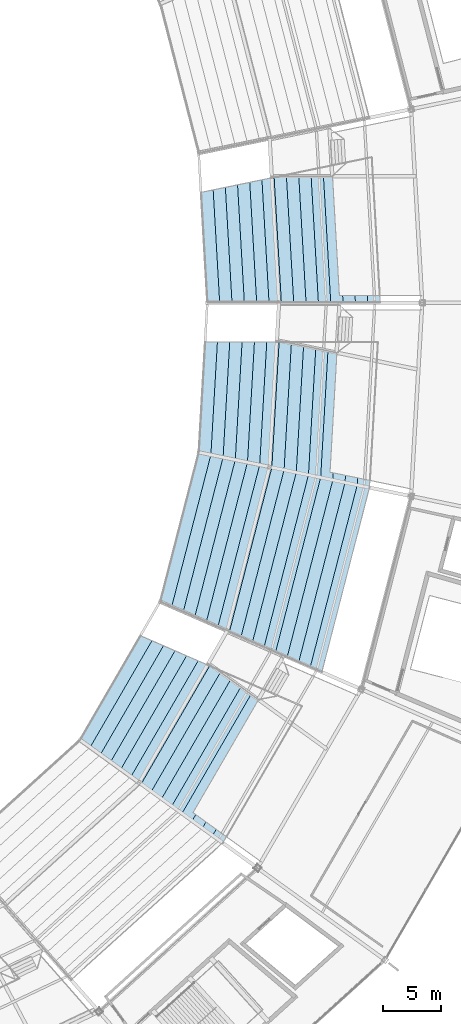
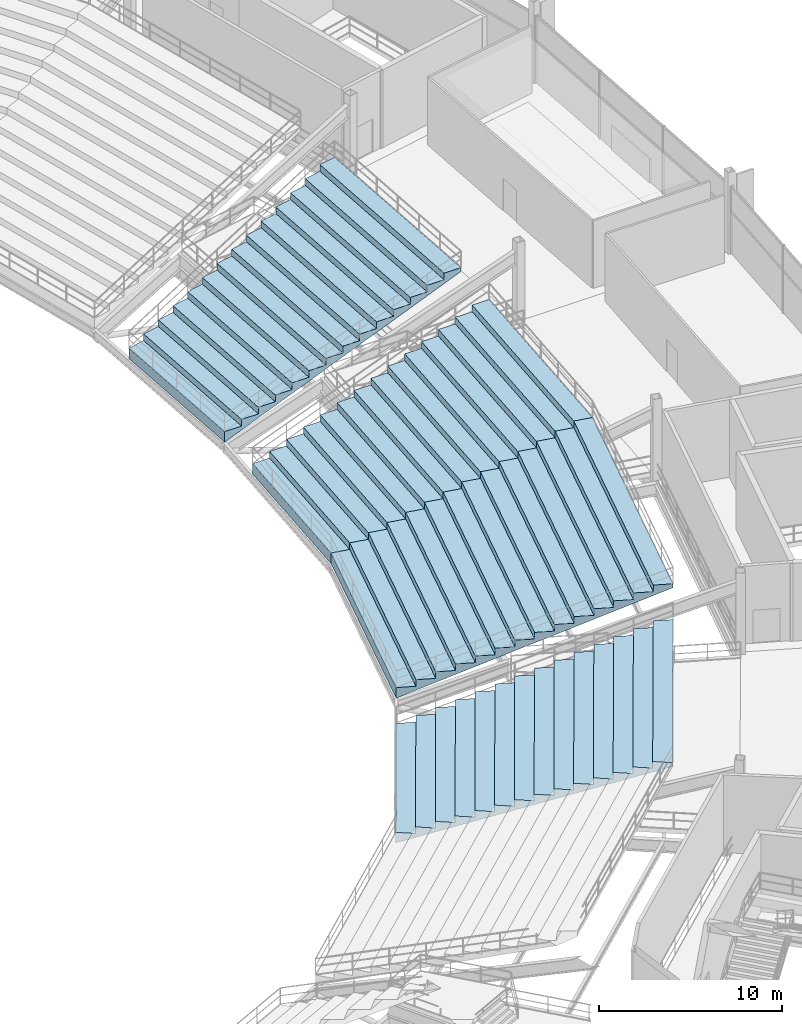
# One storey, part 136 of 186: 4 slabs.
"""IFC4 building model written with IfcOpenShell, lengths in metres."""

from ifc_helpers import new_model, si_unit, direction, frame, origin, place, context, subcontext, project, spatial, polygons, material, layer, layer_set, type_object, element, save


model = new_model("IFC4")

# Units and contexts
model_context = context("Model", 3, precision=1e-05, world=origin(), true_north=direction((0.0, 1.0)))
body_context = subcontext(model_context, "Body", "Model", "MODEL_VIEW")
ifc_project = project(units=[si_unit("LENGTHUNIT", "METRE"), si_unit("AREAUNIT", "SQUARE_METRE"), si_unit("VOLUMEUNIT", "CUBIC_METRE"), si_unit("PLANEANGLEUNIT", "RADIAN"), si_unit("MASSUNIT", "GRAM", prefix="KILO")], contexts=[model_context])

# Site, building, storey
site_placement = place(None, origin())
site = spatial("IfcSite", under=ifc_project, at=site_placement, CompositionType="ELEMENT")
building_placement = place(site_placement, origin())
building = spatial("IfcBuilding", under=site, at=building_placement, Name="Kazemori Nagisa Stadium", CompositionType="ELEMENT")
storey_placement = place(building_placement, frame((0.0, 0.0, 20.39990234375)))
storey = spatial("IfcBuildingStorey", under=building, at=storey_placement, Name="L04", CompositionType="ELEMENT", Elevation=20.39990234375)

# Slabs
ifc_material = material(Name="Concrete C36/45 (Fc36)", Category="concrete")
ifc_layer = layer(ifc_material, 6.419921875, Name="Concrete C36/45 (Fc36)", Category="concrete")
ifc_layer_set = layer_set([ifc_layer], Name="Concrete C36/45 (Fc36)")
slab_type = type_object("IfcSlabType", Name="SeatingTier_ST-UP-14E", PredefinedType="USERDEFINED", material=ifc_layer_set)
slab_1_placement = place(storey_placement, frame((0.0, 0.0, -20.39990234375)))
element("IfcSlab", 1, at=slab_1_placement, inside=storey, type_object=slab_type, Name="Stand upper tier bay 01", ObjectType="SEATING TIER", PredefinedType="USERDEFINED", context=body_context, shape_type="Tessellation", body=[
    polygons([(185.62646484375, 111.505126953125, 18.820068359375), (185.62646484375, 111.505126953125, 19.52001953125), (186.677978515625, 111.722412109375, 19.52001953125), (186.677978515625, 111.722412109375, 19.9599609375), (187.7294921875, 111.939697265625, 19.9599609375), (187.7294921875, 111.939697265625, 20.39990234375), (188.781005859375, 112.156982421875, 20.39990234375), (188.781005859375, 112.156982421875, 20.83984375), (189.832275390625, 112.3740234375, 20.83984375), (189.832275390625, 112.3740234375, 21.27978515625), (190.8837890625, 112.59130859375, 21.27978515625), (190.8837890625, 112.59130859375, 21.7197265625), (191.935302734375, 112.80859375, 21.7197265625), (191.935302734375, 112.80859375, 22.15966796875), (192.98681640625, 113.02587890625, 22.15966796875), (192.98681640625, 113.02587890625, 22.599609375), (194.038330078125, 113.2431640625, 22.599609375), (194.038330078125, 113.2431640625, 23.03955078125), (195.08984375, 113.46044921875, 23.03955078125), (195.08984375, 113.46044921875, 23.4794921875), (196.141357421875, 113.677734375, 23.4794921875), (196.141357421875, 113.677734375, 23.91943359375), (197.192626953125, 113.894775390625, 23.91943359375), (197.192626953125, 113.894775390625, 24.359375), (198.244140625, 114.112060546875, 24.359375), (198.244140625, 114.112060546875, 24.79931640625), (199.295654296875, 114.329345703125, 24.79931640625), (199.295654296875, 114.329345703125, 25.2392578125), (200.34716796875, 114.546630859375, 25.2392578125), (200.34716796875, 114.546630859375, 24.979248046875), (199.295654296875, 114.329345703125, 24.539306640625), (198.244140625, 114.112060546875, 24.099365234375), (197.192626953125, 113.894775390625, 23.659423828125), (196.141357421875, 113.677734375, 23.219482421875), (195.08984375, 113.46044921875, 22.779541015625), (194.038330078125, 113.2431640625, 22.339599609375), (192.98681640625, 113.02587890625, 21.899658203125), (191.935302734375, 112.80859375, 21.459716796875), (190.8837890625, 112.59130859375, 21.019775390625), (189.832275390625, 112.3740234375, 20.579833984375), (188.781005859375, 112.156982421875, 20.139892578125), (187.7294921875, 111.939697265625, 19.699951171875), (186.677978515625, 111.722412109375, 19.260009765625), (186.175048828125, 102.0, 18.820068359375), (186.175048828125, 102.0, 19.52001953125), (187.239013671875, 102.0, 19.52001953125), (187.239013671875, 102.0, 19.9599609375), (188.302978515625, 102.0, 19.9599609375), (188.302978515625, 102.0, 20.39990234375), (189.366943359375, 102.0, 20.39990234375), (189.366943359375, 102.0, 20.83984375), (190.43115234375, 102.0, 20.83984375), (190.43115234375, 102.0, 21.27978515625), (191.4951171875, 102.0, 21.27978515625), (191.4951171875, 102.0, 21.7197265625), (192.55908203125, 102.0, 21.7197265625), (192.55908203125, 102.0, 22.15966796875), (193.623046875, 102.0, 22.15966796875), (193.623046875, 102.0, 22.599609375), (194.68701171875, 102.0, 22.599609375), (194.68701171875, 102.0, 23.03955078125), (195.7509765625, 102.0, 23.03955078125), (195.7509765625, 102.0, 23.4794921875), (196.81494140625, 102.0, 23.4794921875), (196.81494140625, 102.0, 23.91943359375), (197.879150390625, 102.0, 23.91943359375), (197.879150390625, 102.0, 24.359375), (198.943115234375, 102.0, 24.359375), (198.943115234375, 102.0, 24.79931640625), (200.007080078125, 102.0, 24.79931640625), (200.007080078125, 102.0, 25.2392578125), (201.071044921875, 102.0, 25.2392578125), (201.071044921875, 102.0, 24.979248046875), (200.007080078125, 102.0, 24.539306640625), (198.943115234375, 102.0, 24.099365234375), (197.879150390625, 102.0, 23.659423828125), (196.81494140625, 102.0, 23.219482421875), (195.7509765625, 102.0, 22.779541015625), (194.68701171875, 102.0, 22.339599609375), (193.623046875, 102.0, 21.899658203125), (192.55908203125, 102.0, 21.459716796875), (191.4951171875, 102.0, 21.019775390625), (190.43115234375, 102.0, 20.579833984375), (189.366943359375, 102.0, 20.139892578125), (188.302978515625, 102.0, 19.699951171875), (187.239013671875, 102.0, 19.260009765625)], [[[1, 44, 45]], [[1, 45, 2]], [[2, 45, 46]], [[2, 46, 3]], [[3, 46, 47]], [[3, 47, 4]], [[4, 47, 48]], [[4, 48, 5]], [[5, 48, 49]], [[5, 49, 6]], [[6, 49, 50]], [[6, 50, 7]], [[7, 50, 51]], [[7, 51, 8]], [[8, 51, 52]], [[8, 52, 9]], [[9, 52, 53]], [[9, 53, 10]], [[10, 53, 54]], [[10, 54, 11]], [[11, 54, 55]], [[11, 55, 12]], [[12, 55, 56]], [[12, 56, 13]], [[13, 56, 57]], [[13, 57, 14]], [[14, 57, 58]], [[14, 58, 15]], [[15, 58, 59]], [[15, 59, 16]], [[16, 59, 60]], [[16, 60, 17]], [[17, 60, 61]], [[17, 61, 18]], [[18, 61, 62]], [[18, 62, 19]], [[19, 62, 63]], [[19, 63, 20]], [[20, 63, 64]], [[20, 64, 21]], [[21, 64, 65]], [[21, 65, 22]], [[22, 65, 66]], [[22, 66, 23]], [[23, 66, 67]], [[23, 67, 24]], [[24, 67, 68]], [[24, 68, 25]], [[25, 68, 69]], [[25, 69, 26]], [[26, 69, 70]], [[26, 70, 27]], [[27, 70, 71]], [[27, 71, 28]], [[28, 71, 72]], [[28, 72, 29]], [[29, 72, 73]], [[29, 73, 30]], [[30, 73, 31]], [[31, 73, 74]], [[31, 74, 32]], [[32, 74, 75]], [[32, 75, 33]], [[33, 75, 76]], [[33, 76, 34]], [[34, 76, 77]], [[34, 77, 35]], [[35, 77, 78]], [[35, 78, 36]], [[36, 78, 79]], [[36, 79, 37]], [[37, 79, 80]], [[37, 80, 38]], [[38, 80, 81]], [[38, 81, 39]], [[39, 81, 82]], [[39, 82, 40]], [[40, 82, 83]], [[40, 83, 41]], [[41, 83, 84]], [[41, 84, 42]], [[42, 84, 85]], [[42, 85, 43]], [[43, 85, 86]], [[43, 86, 1]], [[1, 86, 44]], [[1, 2, 3]], [[46, 45, 44]], [[1, 3, 43]], [[86, 46, 44]], [[43, 3, 42]], [[85, 46, 86]], [[42, 3, 5]], [[48, 46, 85]], [[3, 4, 5]], [[48, 47, 46]], [[42, 5, 41]], [[84, 48, 85]], [[41, 5, 7]], [[50, 48, 84]], [[5, 6, 7]], [[50, 49, 48]], [[41, 7, 40]], [[83, 50, 84]], [[40, 7, 9]], [[52, 50, 83]], [[7, 8, 9]], [[52, 51, 50]], [[40, 9, 39]], [[82, 52, 83]], [[39, 9, 11]], [[54, 52, 82]], [[9, 10, 11]], [[54, 53, 52]], [[39, 11, 38]], [[81, 54, 82]], [[38, 11, 13]], [[56, 54, 81]], [[11, 12, 13]], [[56, 55, 54]], [[38, 13, 37]], [[80, 56, 81]], [[37, 13, 15]], [[58, 56, 80]], [[13, 14, 15]], [[58, 57, 56]], [[37, 15, 36]], [[79, 58, 80]], [[36, 15, 17]], [[60, 58, 79]], [[15, 16, 17]], [[60, 59, 58]], [[36, 17, 35]], [[78, 60, 79]], [[35, 17, 19]], [[62, 60, 78]], [[17, 18, 19]], [[62, 61, 60]], [[35, 19, 34]], [[77, 62, 78]], [[34, 19, 21]], [[64, 62, 77]], [[19, 20, 21]], [[64, 63, 62]], [[34, 21, 33]], [[76, 64, 77]], [[33, 21, 23]], [[66, 64, 76]], [[21, 22, 23]], [[66, 65, 64]], [[33, 23, 32]], [[75, 66, 76]], [[32, 23, 25]], [[68, 66, 75]], [[23, 24, 25]], [[68, 67, 66]], [[32, 25, 31]], [[74, 68, 75]], [[31, 25, 27]], [[70, 68, 74]], [[25, 26, 27]], [[70, 69, 68]], [[31, 27, 30]], [[73, 70, 74]], [[30, 27, 29]], [[72, 70, 73]], [[27, 28, 29]], [[72, 71, 70]]], closed=True),
])
slab_2_placement = place(storey_placement, frame((0.0, 0.0, -20.39990234375)))
element("IfcSlab", 2, at=slab_2_placement, inside=storey, type_object=slab_type, Name="Stand upper tier bay 26", ObjectType="SEATING TIER", PredefinedType="USERDEFINED", context=body_context, shape_type="Tessellation", body=[
    polygons([(180.403076171875, 73.290283203125, 18.820068359375), (180.403076171875, 73.290283203125, 19.52001953125), (181.398681640625, 72.856201171875, 19.52001953125), (181.398681640625, 72.856201171875, 19.9599609375), (182.39404296875, 72.42236328125, 19.9599609375), (182.39404296875, 72.42236328125, 20.39990234375), (183.3896484375, 71.98828125, 20.39990234375), (183.3896484375, 71.98828125, 20.83984375), (184.385009765625, 71.55419921875, 20.83984375), (184.385009765625, 71.55419921875, 21.27978515625), (185.380615234375, 71.120361328125, 21.27978515625), (185.380615234375, 71.120361328125, 21.7197265625), (186.3759765625, 70.686279296875, 21.7197265625), (186.3759765625, 70.686279296875, 22.15966796875), (187.37158203125, 70.25244140625, 22.15966796875), (187.37158203125, 70.25244140625, 22.599609375), (188.3671875, 69.818359375, 22.599609375), (188.3671875, 69.818359375, 23.03955078125), (189.362548828125, 69.38427734375, 23.03955078125), (189.362548828125, 69.38427734375, 23.4794921875), (190.358154296875, 68.950439453125, 23.4794921875), (190.358154296875, 68.950439453125, 23.91943359375), (191.353515625, 68.516357421875, 23.91943359375), (191.353515625, 68.516357421875, 24.359375), (192.34912109375, 68.082275390625, 24.359375), (192.34912109375, 68.082275390625, 24.79931640625), (193.344482421875, 67.6484375, 24.79931640625), (193.344482421875, 67.6484375, 25.2392578125), (194.340087890625, 67.21435546875, 25.2392578125), (194.340087890625, 67.21435546875, 24.979248046875), (193.344482421875, 67.6484375, 24.539306640625), (192.34912109375, 68.082275390625, 24.099365234375), (191.353515625, 68.516357421875, 23.659423828125), (190.358154296875, 68.950439453125, 23.219482421875), (189.362548828125, 69.38427734375, 22.779541015625), (188.3671875, 69.818359375, 22.339599609375), (187.37158203125, 70.25244140625, 21.899658203125), (186.3759765625, 70.686279296875, 21.459716796875), (185.380615234375, 71.120361328125, 21.019775390625), (184.385009765625, 71.55419921875, 20.579833984375), (183.3896484375, 71.98828125, 20.139892578125), (182.39404296875, 72.42236328125, 19.699951171875), (181.398681640625, 72.856201171875, 19.260009765625), (175.199462890625, 64.31591796875, 18.820068359375), (175.199462890625, 64.31591796875, 19.52001953125), (176.07861328125, 63.68115234375, 19.52001953125), (176.07861328125, 63.68115234375, 19.9599609375), (176.957763671875, 63.046630859375, 19.9599609375), (176.957763671875, 63.046630859375, 20.39990234375), (177.8369140625, 62.411865234375, 20.39990234375), (177.8369140625, 62.411865234375, 20.83984375), (178.716064453125, 61.777099609375, 20.83984375), (178.716064453125, 61.777099609375, 21.27978515625), (179.59521484375, 61.142578125, 21.27978515625), (179.59521484375, 61.142578125, 21.7197265625), (180.474365234375, 60.5078125, 21.7197265625), (180.474365234375, 60.5078125, 22.15966796875), (181.353515625, 59.873046875, 22.15966796875), (181.353515625, 59.873046875, 22.599609375), (182.232666015625, 59.238525390625, 22.599609375), (182.232666015625, 59.238525390625, 23.03955078125), (183.11181640625, 58.603759765625, 23.03955078125), (183.11181640625, 58.603759765625, 23.4794921875), (183.990966796875, 57.96923828125, 23.4794921875), (183.990966796875, 57.96923828125, 23.91943359375), (184.8701171875, 57.33447265625, 23.91943359375), (184.8701171875, 57.33447265625, 24.359375), (185.749267578125, 56.69970703125, 24.359375), (185.749267578125, 56.69970703125, 24.79931640625), (186.62841796875, 56.065185546875, 24.79931640625), (186.62841796875, 56.065185546875, 25.2392578125), (187.507568359375, 55.430419921875, 25.2392578125), (187.507568359375, 55.430419921875, 24.979248046875), (186.62841796875, 56.065185546875, 24.539306640625), (185.749267578125, 56.69970703125, 24.099365234375), (184.8701171875, 57.33447265625, 23.659423828125), (183.990966796875, 57.96923828125, 23.219482421875), (183.11181640625, 58.603759765625, 22.779541015625), (182.232666015625, 59.238525390625, 22.339599609375), (181.353515625, 59.873046875, 21.899658203125), (180.474365234375, 60.5078125, 21.459716796875), (179.59521484375, 61.142578125, 21.019775390625), (178.716064453125, 61.777099609375, 20.579833984375), (177.8369140625, 62.411865234375, 20.139892578125), (176.957763671875, 63.046630859375, 19.699951171875), (176.07861328125, 63.68115234375, 19.260009765625)], [[[1, 44, 45]], [[1, 45, 2]], [[2, 45, 46]], [[2, 46, 3]], [[3, 46, 47]], [[3, 47, 4]], [[4, 47, 48]], [[4, 48, 5]], [[5, 48, 49]], [[5, 49, 6]], [[6, 49, 50]], [[6, 50, 7]], [[7, 50, 51]], [[7, 51, 8]], [[8, 51, 52]], [[8, 52, 9]], [[9, 52, 53]], [[9, 53, 10]], [[10, 53, 54]], [[10, 54, 11]], [[11, 54, 55]], [[11, 55, 12]], [[12, 55, 56]], [[12, 56, 13]], [[13, 56, 57]], [[13, 57, 14]], [[14, 57, 58]], [[14, 58, 15]], [[15, 58, 59]], [[15, 59, 16]], [[16, 59, 60]], [[16, 60, 17]], [[17, 60, 61]], [[17, 61, 18]], [[18, 61, 62]], [[18, 62, 19]], [[19, 62, 63]], [[19, 63, 20]], [[20, 63, 64]], [[20, 64, 21]], [[21, 64, 65]], [[21, 65, 22]], [[22, 65, 66]], [[22, 66, 23]], [[23, 66, 67]], [[23, 67, 24]], [[24, 67, 68]], [[24, 68, 25]], [[25, 68, 69]], [[25, 69, 26]], [[26, 69, 70]], [[26, 70, 27]], [[27, 70, 71]], [[27, 71, 28]], [[28, 71, 72]], [[28, 72, 29]], [[29, 72, 73]], [[29, 73, 30]], [[30, 73, 31]], [[31, 73, 74]], [[31, 74, 32]], [[32, 74, 75]], [[32, 75, 33]], [[33, 75, 76]], [[33, 76, 34]], [[34, 76, 77]], [[34, 77, 35]], [[35, 77, 78]], [[35, 78, 36]], [[36, 78, 79]], [[36, 79, 37]], [[37, 79, 80]], [[37, 80, 38]], [[38, 80, 81]], [[38, 81, 39]], [[39, 81, 82]], [[39, 82, 40]], [[40, 82, 83]], [[40, 83, 41]], [[41, 83, 84]], [[41, 84, 42]], [[42, 84, 85]], [[42, 85, 43]], [[43, 85, 86]], [[43, 86, 1]], [[1, 86, 44]], [[1, 2, 3]], [[46, 45, 44]], [[1, 3, 43]], [[86, 46, 44]], [[43, 3, 42]], [[85, 46, 86]], [[42, 3, 5]], [[48, 46, 85]], [[3, 4, 5]], [[48, 47, 46]], [[42, 5, 41]], [[84, 48, 85]], [[41, 5, 7]], [[50, 48, 84]], [[5, 6, 7]], [[50, 49, 48]], [[41, 7, 40]], [[83, 50, 84]], [[40, 7, 9]], [[52, 50, 83]], [[7, 8, 9]], [[52, 51, 50]], [[40, 9, 39]], [[82, 52, 83]], [[39, 9, 11]], [[54, 52, 82]], [[9, 10, 11]], [[54, 53, 52]], [[39, 11, 38]], [[81, 54, 82]], [[38, 11, 13]], [[56, 54, 81]], [[11, 12, 13]], [[56, 55, 54]], [[38, 13, 37]], [[80, 56, 81]], [[37, 13, 15]], [[58, 56, 80]], [[13, 14, 15]], [[58, 57, 56]], [[37, 15, 36]], [[79, 58, 80]], [[36, 15, 17]], [[60, 58, 79]], [[15, 16, 17]], [[60, 59, 58]], [[36, 17, 35]], [[78, 60, 79]], [[35, 17, 19]], [[62, 60, 78]], [[17, 18, 19]], [[62, 61, 60]], [[35, 19, 34]], [[77, 62, 78]], [[34, 19, 21]], [[64, 62, 77]], [[19, 20, 21]], [[64, 63, 62]], [[34, 21, 33]], [[76, 64, 77]], [[33, 21, 23]], [[66, 64, 76]], [[21, 22, 23]], [[66, 65, 64]], [[33, 23, 32]], [[75, 66, 76]], [[32, 23, 25]], [[68, 66, 75]], [[23, 24, 25]], [[68, 67, 66]], [[32, 25, 31]], [[74, 68, 75]], [[31, 25, 27]], [[70, 68, 74]], [[25, 26, 27]], [[70, 69, 68]], [[31, 27, 30]], [[73, 70, 74]], [[30, 27, 29]], [[72, 70, 73]], [[27, 28, 29]], [[72, 71, 70]]], closed=True),
])
slab_3_placement = place(storey_placement, frame((0.0, 0.0, -20.39990234375)))
element("IfcSlab", 3, at=slab_3_placement, inside=storey, type_object=slab_type, Name="Stand upper tier bay 27", ObjectType="SEATING TIER", PredefinedType="USERDEFINED", context=body_context, shape_type="Tessellation", body=[
    polygons([(185.4306640625, 89.1005859375, 18.820068359375), (185.4306640625, 89.1005859375, 19.52001953125), (186.482177734375, 88.88330078125, 19.52001953125), (186.482177734375, 88.88330078125, 19.9599609375), (187.53369140625, 88.666015625, 19.9599609375), (187.53369140625, 88.666015625, 20.39990234375), (188.5849609375, 88.44873046875, 20.39990234375), (188.5849609375, 88.44873046875, 20.83984375), (189.636474609375, 88.231689453125, 20.83984375), (189.636474609375, 88.231689453125, 21.27978515625), (190.68798828125, 88.014404296875, 21.27978515625), (190.68798828125, 88.014404296875, 21.7197265625), (191.739501953125, 87.797119140625, 21.7197265625), (191.739501953125, 87.797119140625, 22.15966796875), (192.791015625, 87.579833984375, 22.15966796875), (192.791015625, 87.579833984375, 22.599609375), (193.84228515625, 87.362548828125, 22.599609375), (193.84228515625, 87.362548828125, 23.03955078125), (194.893798828125, 87.145263671875, 23.03955078125), (194.893798828125, 87.145263671875, 23.4794921875), (195.9453125, 86.927978515625, 23.4794921875), (195.9453125, 86.927978515625, 23.91943359375), (196.996826171875, 86.7109375, 23.91943359375), (196.996826171875, 86.7109375, 24.359375), (198.048095703125, 86.49365234375, 24.359375), (198.048095703125, 86.49365234375, 24.79931640625), (199.099609375, 86.2763671875, 24.79931640625), (199.099609375, 86.2763671875, 25.2392578125), (200.151123046875, 86.05908203125, 25.2392578125), (200.151123046875, 86.05908203125, 24.979248046875), (199.099609375, 86.2763671875, 24.539306640625), (198.048095703125, 86.49365234375, 24.099365234375), (196.996826171875, 86.7109375, 23.659423828125), (195.9453125, 86.927978515625, 23.219482421875), (194.893798828125, 87.145263671875, 22.779541015625), (193.84228515625, 87.362548828125, 22.339599609375), (192.791015625, 87.579833984375, 21.899658203125), (191.739501953125, 87.797119140625, 21.459716796875), (190.68798828125, 88.014404296875, 21.019775390625), (189.636474609375, 88.231689453125, 20.579833984375), (188.5849609375, 88.44873046875, 20.139892578125), (187.53369140625, 88.666015625, 19.699951171875), (186.482177734375, 88.88330078125, 19.260009765625), (182.1083984375, 76.2314453125, 18.820068359375), (182.1083984375, 76.2314453125, 19.52001953125), (183.10400390625, 75.79736328125, 19.52001953125), (183.10400390625, 75.79736328125, 19.9599609375), (184.099365234375, 75.363525390625, 19.9599609375), (184.099365234375, 75.363525390625, 20.39990234375), (185.094970703125, 74.929443359375, 20.39990234375), (185.094970703125, 74.929443359375, 20.83984375), (186.090576171875, 74.495361328125, 20.83984375), (186.090576171875, 74.495361328125, 21.27978515625), (187.0859375, 74.0615234375, 21.27978515625), (187.0859375, 74.0615234375, 21.7197265625), (188.08154296875, 73.62744140625, 21.7197265625), (188.08154296875, 73.62744140625, 22.15966796875), (189.0771484375, 73.193359375, 22.15966796875), (189.0771484375, 73.193359375, 22.599609375), (190.072509765625, 72.759521484375, 22.599609375), (190.072509765625, 72.759521484375, 23.03955078125), (191.068115234375, 72.325439453125, 23.03955078125), (191.068115234375, 72.325439453125, 23.4794921875), (192.0634765625, 71.8916015625, 23.4794921875), (192.0634765625, 71.8916015625, 23.91943359375), (193.05908203125, 71.45751953125, 23.91943359375), (193.05908203125, 71.45751953125, 24.359375), (194.0546875, 71.0234375, 24.359375), (194.0546875, 71.0234375, 24.79931640625), (195.050048828125, 70.589599609375, 24.79931640625), (195.050048828125, 70.589599609375, 25.2392578125), (196.045654296875, 70.155517578125, 25.2392578125), (196.045654296875, 70.155517578125, 24.979248046875), (195.050048828125, 70.589599609375, 24.539306640625), (194.0546875, 71.0234375, 24.099365234375), (193.05908203125, 71.45751953125, 23.659423828125), (192.0634765625, 71.8916015625, 23.219482421875), (191.068115234375, 72.325439453125, 22.779541015625), (190.072509765625, 72.759521484375, 22.339599609375), (189.0771484375, 73.193359375, 21.899658203125), (188.08154296875, 73.62744140625, 21.459716796875), (187.0859375, 74.0615234375, 21.019775390625), (186.090576171875, 74.495361328125, 20.579833984375), (185.094970703125, 74.929443359375, 20.139892578125), (184.099365234375, 75.363525390625, 19.699951171875), (183.10400390625, 75.79736328125, 19.260009765625)], [[[1, 44, 45]], [[1, 45, 2]], [[2, 45, 46]], [[2, 46, 3]], [[3, 46, 47]], [[3, 47, 4]], [[4, 47, 48]], [[4, 48, 5]], [[5, 48, 49]], [[5, 49, 6]], [[6, 49, 50]], [[6, 50, 7]], [[7, 50, 51]], [[7, 51, 8]], [[8, 51, 52]], [[8, 52, 9]], [[9, 52, 53]], [[9, 53, 10]], [[10, 53, 54]], [[10, 54, 11]], [[11, 54, 55]], [[11, 55, 12]], [[12, 55, 56]], [[12, 56, 13]], [[13, 56, 57]], [[13, 57, 14]], [[14, 57, 58]], [[14, 58, 15]], [[15, 58, 59]], [[15, 59, 16]], [[16, 59, 60]], [[16, 60, 17]], [[17, 60, 61]], [[17, 61, 18]], [[18, 61, 62]], [[18, 62, 19]], [[19, 62, 63]], [[19, 63, 20]], [[20, 63, 64]], [[20, 64, 21]], [[21, 64, 65]], [[21, 65, 22]], [[22, 65, 66]], [[22, 66, 23]], [[23, 66, 67]], [[23, 67, 24]], [[24, 67, 68]], [[24, 68, 25]], [[25, 68, 69]], [[25, 69, 26]], [[26, 69, 70]], [[26, 70, 27]], [[27, 70, 71]], [[27, 71, 28]], [[28, 71, 72]], [[28, 72, 29]], [[29, 72, 73]], [[29, 73, 30]], [[30, 73, 31]], [[31, 73, 74]], [[31, 74, 32]], [[32, 74, 75]], [[32, 75, 33]], [[33, 75, 76]], [[33, 76, 34]], [[34, 76, 77]], [[34, 77, 35]], [[35, 77, 78]], [[35, 78, 36]], [[36, 78, 79]], [[36, 79, 37]], [[37, 79, 80]], [[37, 80, 38]], [[38, 80, 81]], [[38, 81, 39]], [[39, 81, 82]], [[39, 82, 40]], [[40, 82, 83]], [[40, 83, 41]], [[41, 83, 84]], [[41, 84, 42]], [[42, 84, 85]], [[42, 85, 43]], [[43, 85, 86]], [[43, 86, 1]], [[1, 86, 44]], [[1, 2, 3]], [[46, 45, 44]], [[1, 3, 43]], [[86, 46, 44]], [[43, 3, 42]], [[85, 46, 86]], [[42, 3, 5]], [[48, 46, 85]], [[3, 4, 5]], [[48, 47, 46]], [[42, 5, 41]], [[84, 48, 85]], [[41, 5, 7]], [[50, 48, 84]], [[5, 6, 7]], [[50, 49, 48]], [[41, 7, 40]], [[83, 50, 84]], [[40, 7, 9]], [[52, 50, 83]], [[7, 8, 9]], [[52, 51, 50]], [[40, 9, 39]], [[82, 52, 83]], [[39, 9, 11]], [[54, 52, 82]], [[9, 10, 11]], [[54, 53, 52]], [[39, 11, 38]], [[81, 54, 82]], [[38, 11, 13]], [[56, 54, 81]], [[11, 12, 13]], [[56, 55, 54]], [[38, 13, 37]], [[80, 56, 81]], [[37, 13, 15]], [[58, 56, 80]], [[13, 14, 15]], [[58, 57, 56]], [[37, 15, 36]], [[79, 58, 80]], [[36, 15, 17]], [[60, 58, 79]], [[15, 16, 17]], [[60, 59, 58]], [[36, 17, 35]], [[78, 60, 79]], [[35, 17, 19]], [[62, 60, 78]], [[17, 18, 19]], [[62, 61, 60]], [[35, 19, 34]], [[77, 62, 78]], [[34, 19, 21]], [[64, 62, 77]], [[19, 20, 21]], [[64, 63, 62]], [[34, 21, 33]], [[76, 64, 77]], [[33, 21, 23]], [[66, 64, 76]], [[21, 22, 23]], [[66, 65, 64]], [[33, 23, 32]], [[75, 66, 76]], [[32, 23, 25]], [[68, 66, 75]], [[23, 24, 25]], [[68, 67, 66]], [[32, 25, 31]], [[74, 68, 75]], [[31, 25, 27]], [[70, 68, 74]], [[25, 26, 27]], [[70, 69, 68]], [[31, 27, 30]], [[73, 70, 74]], [[30, 27, 29]], [[72, 70, 73]], [[27, 28, 29]], [[72, 71, 70]]], closed=True),
])
slab_4_placement = place(storey_placement, frame((0.0, 0.0, -20.39990234375)))
element("IfcSlab", 4, at=slab_4_placement, inside=storey, type_object=slab_type, Name="Stand upper tier bay 28", ObjectType="SEATING TIER", PredefinedType="USERDEFINED", context=body_context, shape_type="Tessellation", body=[
    polygons([(185.979248046875, 98.605712890625, 18.820068359375), (185.979248046875, 98.605712890625, 19.52001953125), (187.043212890625, 98.605712890625, 19.52001953125), (187.043212890625, 98.605712890625, 19.9599609375), (188.107177734375, 98.605712890625, 19.9599609375), (188.107177734375, 98.605712890625, 20.39990234375), (189.171142578125, 98.605712890625, 20.39990234375), (189.171142578125, 98.605712890625, 20.83984375), (190.2353515625, 98.605712890625, 20.83984375), (190.2353515625, 98.605712890625, 21.27978515625), (191.29931640625, 98.605712890625, 21.27978515625), (191.29931640625, 98.605712890625, 21.7197265625), (192.36328125, 98.605712890625, 21.7197265625), (192.36328125, 98.605712890625, 22.15966796875), (193.42724609375, 98.605712890625, 22.15966796875), (193.42724609375, 98.605712890625, 22.599609375), (194.4912109375, 98.605712890625, 22.599609375), (194.4912109375, 98.605712890625, 23.03955078125), (195.55517578125, 98.605712890625, 23.03955078125), (195.55517578125, 98.605712890625, 23.4794921875), (196.619140625, 98.605712890625, 23.4794921875), (196.619140625, 98.605712890625, 23.91943359375), (197.683349609375, 98.605712890625, 23.91943359375), (197.683349609375, 98.605712890625, 24.359375), (198.747314453125, 98.605712890625, 24.359375), (198.747314453125, 98.605712890625, 24.79931640625), (199.811279296875, 98.605712890625, 24.79931640625), (199.811279296875, 98.605712890625, 25.2392578125), (200.875244140625, 98.605712890625, 25.2392578125), (200.875244140625, 98.605712890625, 24.979248046875), (199.811279296875, 98.605712890625, 24.539306640625), (198.747314453125, 98.605712890625, 24.099365234375), (197.683349609375, 98.605712890625, 23.659423828125), (196.619140625, 98.605712890625, 23.219482421875), (195.55517578125, 98.605712890625, 22.779541015625), (194.4912109375, 98.605712890625, 22.339599609375), (193.42724609375, 98.605712890625, 21.899658203125), (192.36328125, 98.605712890625, 21.459716796875), (191.29931640625, 98.605712890625, 21.019775390625), (190.2353515625, 98.605712890625, 20.579833984375), (189.171142578125, 98.605712890625, 20.139892578125), (188.107177734375, 98.605712890625, 19.699951171875), (187.043212890625, 98.605712890625, 19.260009765625), (185.4306640625, 89.1005859375, 18.820068359375), (185.4306640625, 89.1005859375, 19.52001953125), (186.482177734375, 88.88330078125, 19.52001953125), (186.482177734375, 88.88330078125, 19.9599609375), (187.53369140625, 88.666015625, 19.9599609375), (187.53369140625, 88.666015625, 20.39990234375), (188.5849609375, 88.44873046875, 20.39990234375), (188.5849609375, 88.44873046875, 20.83984375), (189.636474609375, 88.231689453125, 20.83984375), (189.636474609375, 88.231689453125, 21.27978515625), (190.68798828125, 88.014404296875, 21.27978515625), (190.68798828125, 88.014404296875, 21.7197265625), (191.739501953125, 87.797119140625, 21.7197265625), (191.739501953125, 87.797119140625, 22.15966796875), (192.791015625, 87.579833984375, 22.15966796875), (192.791015625, 87.579833984375, 22.599609375), (193.84228515625, 87.362548828125, 22.599609375), (193.84228515625, 87.362548828125, 23.03955078125), (194.893798828125, 87.145263671875, 23.03955078125), (194.893798828125, 87.145263671875, 23.4794921875), (195.9453125, 86.927978515625, 23.4794921875), (195.9453125, 86.927978515625, 23.91943359375), (196.996826171875, 86.7109375, 23.91943359375), (196.996826171875, 86.7109375, 24.359375), (198.048095703125, 86.49365234375, 24.359375), (198.048095703125, 86.49365234375, 24.79931640625), (199.099609375, 86.2763671875, 24.79931640625), (199.099609375, 86.2763671875, 25.2392578125), (200.151123046875, 86.05908203125, 25.2392578125), (200.151123046875, 86.05908203125, 24.979248046875), (199.099609375, 86.2763671875, 24.539306640625), (198.048095703125, 86.49365234375, 24.099365234375), (196.996826171875, 86.7109375, 23.659423828125), (195.9453125, 86.927978515625, 23.219482421875), (194.893798828125, 87.145263671875, 22.779541015625), (193.84228515625, 87.362548828125, 22.339599609375), (192.791015625, 87.579833984375, 21.899658203125), (191.739501953125, 87.797119140625, 21.459716796875), (190.68798828125, 88.014404296875, 21.019775390625), (189.636474609375, 88.231689453125, 20.579833984375), (188.5849609375, 88.44873046875, 20.139892578125), (187.53369140625, 88.666015625, 19.699951171875), (186.482177734375, 88.88330078125, 19.260009765625)], [[[1, 44, 45]], [[1, 45, 2]], [[2, 45, 46]], [[2, 46, 3]], [[3, 46, 47]], [[3, 47, 4]], [[4, 47, 48]], [[4, 48, 5]], [[5, 48, 49]], [[5, 49, 6]], [[6, 49, 50]], [[6, 50, 7]], [[7, 50, 51]], [[7, 51, 8]], [[8, 51, 52]], [[8, 52, 9]], [[9, 52, 53]], [[9, 53, 10]], [[10, 53, 54]], [[10, 54, 11]], [[11, 54, 55]], [[11, 55, 12]], [[12, 55, 56]], [[12, 56, 13]], [[13, 56, 57]], [[13, 57, 14]], [[14, 57, 58]], [[14, 58, 15]], [[15, 58, 59]], [[15, 59, 16]], [[16, 59, 60]], [[16, 60, 17]], [[17, 60, 61]], [[17, 61, 18]], [[18, 61, 62]], [[18, 62, 19]], [[19, 62, 63]], [[19, 63, 20]], [[20, 63, 64]], [[20, 64, 21]], [[21, 64, 65]], [[21, 65, 22]], [[22, 65, 66]], [[22, 66, 23]], [[23, 66, 67]], [[23, 67, 24]], [[24, 67, 68]], [[24, 68, 25]], [[25, 68, 69]], [[25, 69, 26]], [[26, 69, 70]], [[26, 70, 27]], [[27, 70, 71]], [[27, 71, 28]], [[28, 71, 72]], [[28, 72, 29]], [[29, 72, 73]], [[29, 73, 30]], [[30, 73, 31]], [[31, 73, 74]], [[31, 74, 32]], [[32, 74, 75]], [[32, 75, 33]], [[33, 75, 76]], [[33, 76, 34]], [[34, 76, 77]], [[34, 77, 35]], [[35, 77, 78]], [[35, 78, 36]], [[36, 78, 79]], [[36, 79, 37]], [[37, 79, 80]], [[37, 80, 38]], [[38, 80, 81]], [[38, 81, 39]], [[39, 81, 82]], [[39, 82, 40]], [[40, 82, 83]], [[40, 83, 41]], [[41, 83, 84]], [[41, 84, 42]], [[42, 84, 85]], [[42, 85, 43]], [[43, 85, 86]], [[43, 86, 1]], [[1, 86, 44]], [[1, 2, 3]], [[46, 45, 44]], [[1, 3, 43]], [[86, 46, 44]], [[43, 3, 42]], [[85, 46, 86]], [[42, 3, 5]], [[48, 46, 85]], [[3, 4, 5]], [[48, 47, 46]], [[42, 5, 41]], [[84, 48, 85]], [[41, 5, 7]], [[50, 48, 84]], [[5, 6, 7]], [[50, 49, 48]], [[41, 7, 40]], [[83, 50, 84]], [[40, 7, 9]], [[52, 50, 83]], [[7, 8, 9]], [[52, 51, 50]], [[40, 9, 39]], [[82, 52, 83]], [[39, 9, 11]], [[54, 52, 82]], [[9, 10, 11]], [[54, 53, 52]], [[39, 11, 38]], [[81, 54, 82]], [[38, 11, 13]], [[56, 54, 81]], [[11, 12, 13]], [[56, 55, 54]], [[38, 13, 37]], [[80, 56, 81]], [[37, 13, 15]], [[58, 56, 80]], [[13, 14, 15]], [[58, 57, 56]], [[37, 15, 36]], [[79, 58, 80]], [[36, 15, 17]], [[60, 58, 79]], [[15, 16, 17]], [[60, 59, 58]], [[36, 17, 35]], [[78, 60, 79]], [[35, 17, 19]], [[62, 60, 78]], [[17, 18, 19]], [[62, 61, 60]], [[35, 19, 34]], [[77, 62, 78]], [[34, 19, 21]], [[64, 62, 77]], [[19, 20, 21]], [[64, 63, 62]], [[34, 21, 33]], [[76, 64, 77]], [[33, 21, 23]], [[66, 64, 76]], [[21, 22, 23]], [[66, 65, 64]], [[33, 23, 32]], [[75, 66, 76]], [[32, 23, 25]], [[68, 66, 75]], [[23, 24, 25]], [[68, 67, 66]], [[32, 25, 31]], [[74, 68, 75]], [[31, 25, 27]], [[70, 68, 74]], [[25, 26, 27]], [[70, 69, 68]], [[31, 27, 30]], [[73, 70, 74]], [[30, 27, 29]], [[72, 70, 73]], [[27, 28, 29]], [[72, 71, 70]]], closed=True),
])

save(model, "model.ifc")
